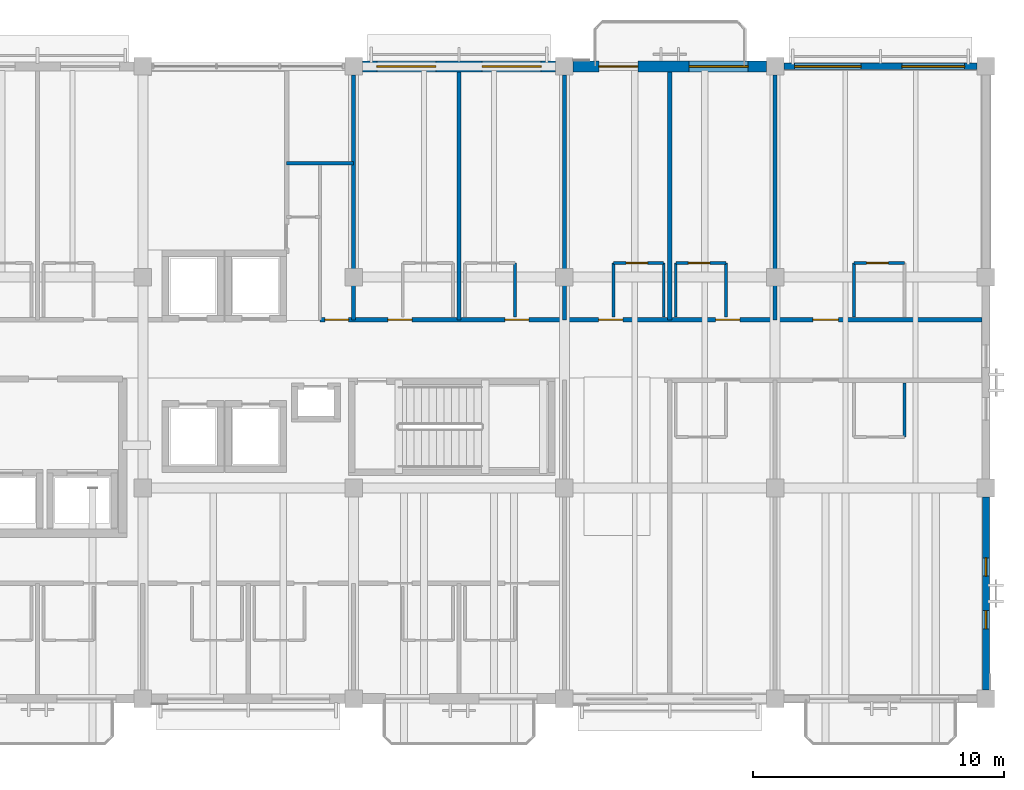
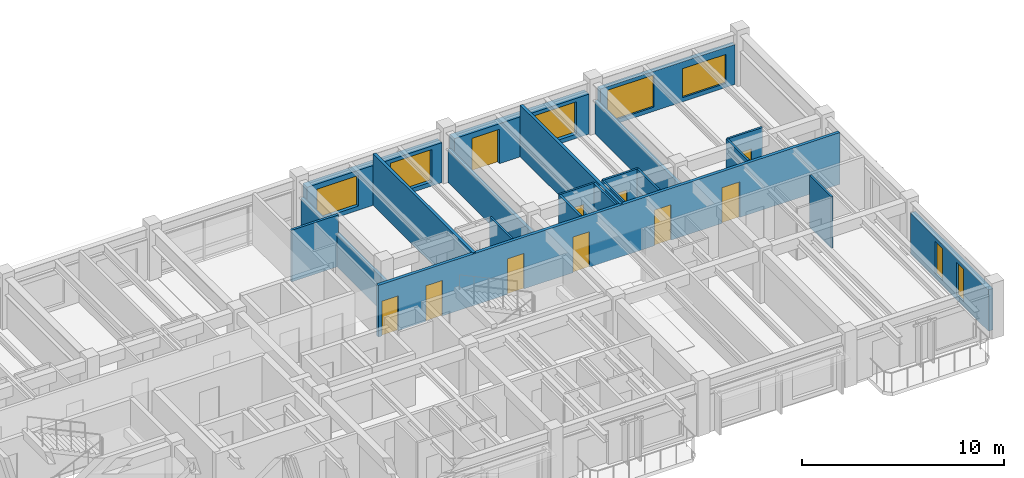
# One storey, part 11 of 18: 21 walls, 10 doors, 7 windows, 17 openings.
"""IFC4 building model written with IfcOpenShell, lengths in metres."""

from ifc_helpers import new_model, si_unit, direction, frame, frame_2d, origin, place, context, subcontext, project, spatial, rectangle, extrude, material, layer, layer_set, type_object, element, fill, save


model = new_model("IFC4")

# Units and contexts
model_context = context("Model", 3, precision=1e-05, world=origin(), true_north=direction((0.0, 1.0)))
body_context = subcontext(model_context, "Body", "Model", "MODEL_VIEW")
ifc_project = project(units=[si_unit("LENGTHUNIT", "METRE"), si_unit("AREAUNIT", "SQUARE_METRE"), si_unit("VOLUMEUNIT", "CUBIC_METRE"), si_unit("PLANEANGLEUNIT", "RADIAN"), si_unit("MASSUNIT", "GRAM", prefix="KILO")], contexts=[model_context])

# Site, building, storey
site_placement = place(None, origin())
site = spatial("IfcSite", under=ifc_project, at=site_placement, CompositionType="ELEMENT")
building_placement = place(site_placement, origin())
building = spatial("IfcBuilding", under=site, at=building_placement, Name="Cumbredor Promenade Congress Hotel", CompositionType="ELEMENT")
storey_placement = place(building_placement, frame((0.0, 0.0, 25.199951171875)))
storey = spatial("IfcBuildingStorey", under=building, at=storey_placement, Name="L07", CompositionType="ELEMENT", Elevation=25.199951171875)

# Wall
ifc_material_1 = material(Name="Moisture-resistant gypsum board on steel studs", Category="steel")
ifc_layer_1 = layer(ifc_material_1, 0.114990234375, Name="Moisture-resistant gypsum board on steel studs", Category="steel")
ifc_layer_set_1 = layer_set([ifc_layer_1], Name="Moisture-resistant gypsum board on steel studs")
wall_type_1 = type_object("IfcWallType", Name="WL-BATH-115", PredefinedType="PARTITIONING", material=ifc_layer_set_1)
wall_1_placement = place(storey_placement, frame((48.43994140625, 107.6201171875, 0.0), z_axis=(0.0, 0.0, 1.0), x_axis=(0.0, 1.0, 0.0)))
element("IfcWall", 1, at=wall_1_placement, inside=storey, type_object=wall_type_1, Name="L07 Interior Partition W-L07-BV2-0709", PredefinedType="PARTITIONING", context=body_context, shape_type="SweptSolid", body=[
    extrude(rectangle(XDim=2.14990234375, YDim=0.114990234375, at=frame_2d((1.074951171875, 0.0))), origin(), (0.0, 0.0, 1.0), 3.1201171875),
])

# Wall, opening, door
wall_2_placement = place(storey_placement, frame((52.360107421875, 109.77001953125, 0.0), z_axis=(0.0, 0.0, 1.0), x_axis=(1.0, 0.0, 0.0)))
wall_2 = element("IfcWall", 2, at=wall_2_placement, inside=storey, type_object=wall_type_1, Name="L07 Interior Partition W-L07-BH-0710", PredefinedType="PARTITIONING", context=body_context, shape_type="SweptSolid", body=[
    extrude(rectangle(XDim=2.0, YDim=0.114990234375, at=frame_2d((1.0, 0.0))), origin(), (0.0, 0.0, 1.0), 3.1201171875),
])
opening_1_placement = place(wall_2_placement, frame((0.5, 0.0, 0.0)))
opening_1 = element("IfcOpeningElement", 3, at=opening_1_placement, cuts=wall_2, Name="Opening ID-01", PredefinedType="OPENING", context=body_context, shape_type="SweptSolid", body=[
    extrude(rectangle(XDim=0.860107421875, YDim=2.050048828125, at=frame_2d((0.43017578125, 1.02490234375))), frame((0.0, 0.0673828125, 0.0), z_axis=(0.0, -1.0, 0.0), x_axis=(1.0, 0.0, 0.0)), (0.0, 0.0, 1.0), 0.135009765625),
])
ifc_material_2 = material(Name="Kiln-dried tropical hardwood", Category="wood")
door_type_1 = type_object("IfcDoorType", Name="DR-BATH-860", OperationType="NOTDEFINED", PredefinedType="DOOR", material=ifc_material_2)
door_1_placement = place(opening_1_placement, origin())
door_1 = element("IfcDoor", 4, at=door_1_placement, inside=storey, type_object=door_type_1, Name="L07 Interior Door W-L07-BH-0710-01", OperationType="SINGLE_SWING_RIGHT", OverallHeight=2.050048828125, OverallWidth=0.860107421875, PredefinedType="DOOR", context=body_context, shape_type="SweptSolid", body=[
    extrude(rectangle(XDim=0.860107421875, YDim=2.050048828125, at=frame_2d((0.43017578125, 1.02490234375))), frame((0.0, 0.02490234375, 0.0), z_axis=(0.0, -1.0, 0.0), x_axis=(1.0, 0.0, 0.0)), (0.0, 0.0, 1.0), 0.050048828125),
])
fill(opening_1, door_1)

# Walls
for number, where, z_axis, x_axis, name in (
    (5, (52.360107421875, 107.6201171875, 0.0), (0.0, 0.0, 1.0), (0.0, 1.0, 0.0), "L07 Interior Partition W-L07-BV1-0710"),
    (6, (54.360107421875, 107.6201171875, 0.0), (0.0, 0.0, 1.0), (0.0, 1.0, 0.0), "L07 Interior Partition W-L07-BV2-0710"),
):
    element("IfcWall", number, at=place(storey_placement, frame(where, z_axis=z_axis, x_axis=x_axis)), inside=storey, type_object=wall_type_1, Name=name, PredefinedType="PARTITIONING", context=body_context, shape_type="SweptSolid", body=[
        extrude(rectangle(XDim=2.14990234375, YDim=0.114990234375, at=frame_2d((1.074951171875, 0.0))), origin(), (0.0, 0.0, 1.0), 3.1201171875),
    ])

# Wall, opening, door
wall_3_placement = place(storey_placement, frame((54.840087890625, 109.77001953125, 0.0), z_axis=(0.0, 0.0, 1.0), x_axis=(1.0, 0.0, 0.0)))
wall_3 = element("IfcWall", 7, at=wall_3_placement, inside=storey, type_object=wall_type_1, Name="L07 Interior Partition W-L07-BH-0711", PredefinedType="PARTITIONING", context=body_context, shape_type="SweptSolid", body=[
    extrude(rectangle(XDim=2.0, YDim=0.114990234375, at=frame_2d((1.0, 0.0))), origin(), (0.0, 0.0, 1.0), 3.1201171875),
])
opening_2_placement = place(wall_3_placement, frame((0.5, 0.0, 0.0)))
opening_2 = element("IfcOpeningElement", 8, at=opening_2_placement, cuts=wall_3, Name="Opening ID-01", PredefinedType="OPENING", context=body_context, shape_type="SweptSolid", body=[
    extrude(rectangle(XDim=0.860107421875, YDim=2.050048828125, at=frame_2d((0.43017578125, 1.02490234375))), frame((0.0, 0.0673828125, 0.0), z_axis=(0.0, -1.0, 0.0), x_axis=(1.0, 0.0, 0.0)), (0.0, 0.0, 1.0), 0.135009765625),
])
door_2_placement = place(opening_2_placement, origin())
door_2 = element("IfcDoor", 9, at=door_2_placement, inside=storey, type_object=door_type_1, Name="L07 Interior Door W-L07-BH-0711-01", OperationType="SINGLE_SWING_LEFT", OverallHeight=2.050048828125, OverallWidth=0.860107421875, PredefinedType="DOOR", context=body_context, shape_type="SweptSolid", body=[
    extrude(rectangle(XDim=0.860107421875, YDim=2.050048828125, at=frame_2d((0.43017578125, 1.02490234375))), frame((0.0, 0.02490234375, 0.0), z_axis=(0.0, -1.0, 0.0), x_axis=(1.0, 0.0, 0.0)), (0.0, 0.0, 1.0), 0.050048828125),
])
fill(opening_2, door_2)

# Walls
for number, where, z_axis, x_axis, name in (
    (10, (54.840087890625, 107.6201171875, 0.0), (0.0, 0.0, 1.0), (0.0, 1.0, 0.0), "L07 Interior Partition W-L07-BV1-0711"),
    (11, (56.840087890625, 107.6201171875, 0.0), (0.0, 0.0, 1.0), (0.0, 1.0, 0.0), "L07 Interior Partition W-L07-BV2-0711"),
):
    element("IfcWall", number, at=place(storey_placement, frame(where, z_axis=z_axis, x_axis=x_axis)), inside=storey, type_object=wall_type_1, Name=name, PredefinedType="PARTITIONING", context=body_context, shape_type="SweptSolid", body=[
        extrude(rectangle(XDim=2.14990234375, YDim=0.114990234375, at=frame_2d((1.074951171875, 0.0))), origin(), (0.0, 0.0, 1.0), 3.1201171875),
    ])

# Wall, opening, door
wall_4_placement = place(storey_placement, frame((61.949951171875, 109.77001953125, 0.0), z_axis=(0.0, 0.0, 1.0), x_axis=(1.0, 0.0, 0.0)))
wall_4 = element("IfcWall", 12, at=wall_4_placement, inside=storey, type_object=wall_type_1, Name="L07 Interior Partition W-L07-BH-0712", PredefinedType="PARTITIONING", context=body_context, shape_type="SweptSolid", body=[
    extrude(rectangle(XDim=2.0, YDim=0.114990234375, at=frame_2d((1.0, 0.0))), origin(), (0.0, 0.0, 1.0), 3.1201171875),
])
opening_3_placement = place(wall_4_placement, frame((0.5, 0.0, 0.0)))
opening_3 = element("IfcOpeningElement", 13, at=opening_3_placement, cuts=wall_4, Name="Opening ID-01", PredefinedType="OPENING", context=body_context, shape_type="SweptSolid", body=[
    extrude(rectangle(XDim=0.860107421875, YDim=2.050048828125, at=frame_2d((0.43017578125, 1.02490234375))), frame((0.0, 0.0673828125, 0.0), z_axis=(0.0, -1.0, 0.0), x_axis=(1.0, 0.0, 0.0)), (0.0, 0.0, 1.0), 0.135009765625),
])
door_3_placement = place(opening_3_placement, origin())
door_3 = element("IfcDoor", 14, at=door_3_placement, inside=storey, type_object=door_type_1, Name="L07 Interior Door W-L07-BH-0712-01", OperationType="SINGLE_SWING_RIGHT", OverallHeight=2.050048828125, OverallWidth=0.860107421875, PredefinedType="DOOR", context=body_context, shape_type="SweptSolid", body=[
    extrude(rectangle(XDim=0.860107421875, YDim=2.050048828125, at=frame_2d((0.43017578125, 1.02490234375))), frame((0.0, 0.02490234375, 0.0), z_axis=(0.0, -1.0, 0.0), x_axis=(1.0, 0.0, 0.0)), (0.0, 0.0, 1.0), 0.050048828125),
])
fill(opening_3, door_3)

# Walls
for number, where, z_axis, x_axis, name in (
    (15, (61.949951171875, 107.6201171875, 0.0), (0.0, 0.0, 1.0), (0.0, 1.0, 0.0), "L07 Interior Partition W-L07-BV1-0712"),
    (16, (63.949951171875, 102.830078125, 0.0), (0.0, 0.0, 1.0), (0.0, 1.0, 0.0), "L07 Interior Partition W-L07-BV2-0714"),
):
    element("IfcWall", number, at=place(storey_placement, frame(where, z_axis=z_axis, x_axis=x_axis)), inside=storey, type_object=wall_type_1, Name=name, PredefinedType="PARTITIONING", context=body_context, shape_type="SweptSolid", body=[
        extrude(rectangle(XDim=2.14990234375, YDim=0.114990234375, at=frame_2d((1.074951171875, 0.0))), origin(), (0.0, 0.0, 1.0), 3.1201171875),
    ])

# Wall, openings, doors
ifc_material_3 = material(Name="Fire-rated hotel corridor wall")
ifc_layer_2 = layer(ifc_material_3, 0.179931640625, Name="Fire-rated hotel corridor wall")
ifc_layer_set_2 = layer_set([ifc_layer_2], Name="Fire-rated hotel corridor wall")
wall_type_2 = type_object("IfcWallType", Name="WL-CORR-180", PredefinedType="PARTITIONING", material=ifc_layer_set_2)
wall_5_placement = place(storey_placement, frame((40.659912109375, 107.5, 0.0), z_axis=(0.0, 0.0, 1.0), x_axis=(1.0, 0.0, 0.0)))
wall_5 = element("IfcWall", 17, at=wall_5_placement, inside=storey, type_object=wall_type_2, Name="L07 Interior Partition W-L07-CORR-NE", PredefinedType="PARTITIONING", context=body_context, shape_type="SweptSolid", body=[
    extrude(rectangle(XDim=26.39013671875, YDim=0.179931640625, at=frame_2d((13.195068359375, 0.0))), origin(), (0.0, 0.0, 1.0), 3.1201171875),
])
opening_4_placement = place(wall_5_placement, frame((0.199951171875, 0.0, 0.0)))
opening_4 = element("IfcOpeningElement", 18, at=opening_4_placement, cuts=wall_5, Name="Opening FD-03", PredefinedType="OPENING", context=body_context, shape_type="SweptSolid", body=[
    extrude(rectangle(XDim=0.93994140625, YDim=2.10009765625, at=frame_2d((0.469970703125, 1.050048828125))), frame((0.0, 0.10009765625, 0.0), z_axis=(0.0, -1.0, 0.0), x_axis=(1.0, 0.0, 0.0)), (0.0, 0.0, 1.0), 0.199951171875),
])
opening_5_placement = place(wall_5_placement, frame((2.7099609375, 0.0, 0.0)))
opening_5 = element("IfcOpeningElement", 19, at=opening_5_placement, cuts=wall_5, Name="Opening FD-01", PredefinedType="OPENING", context=body_context, shape_type="SweptSolid", body=[
    extrude(rectangle(XDim=0.9599609375, YDim=2.14990234375, at=frame_2d((0.47998046875, 1.074951171875))), frame((0.0, 0.10009765625, 0.0), z_axis=(0.0, -1.0, 0.0), x_axis=(1.0, 0.0, 0.0)), (0.0, 0.0, 1.0), 0.199951171875),
])
opening_6_placement = place(wall_5_placement, frame((7.3701171875, 0.0, 0.0)))
opening_6 = element("IfcOpeningElement", 20, at=opening_6_placement, cuts=wall_5, Name="Opening FD-01", PredefinedType="OPENING", context=body_context, shape_type="SweptSolid", body=[
    extrude(rectangle(XDim=0.9599609375, YDim=2.14990234375, at=frame_2d((0.47998046875, 1.074951171875))), frame((0.0, 0.10009765625, 0.0), z_axis=(0.0, -1.0, 0.0), x_axis=(1.0, 0.0, 0.0)), (0.0, 0.0, 1.0), 0.199951171875),
])
opening_7_placement = place(wall_5_placement, frame((11.110107421875, 0.0, 0.0)))
opening_7 = element("IfcOpeningElement", 21, at=opening_7_placement, cuts=wall_5, Name="Opening FD-01", PredefinedType="OPENING", context=body_context, shape_type="SweptSolid", body=[
    extrude(rectangle(XDim=0.9599609375, YDim=2.14990234375, at=frame_2d((0.47998046875, 1.074951171875))), frame((0.0, 0.10009765625, 0.0), z_axis=(0.0, -1.0, 0.0), x_axis=(1.0, 0.0, 0.0)), (0.0, 0.0, 1.0), 0.199951171875),
])
opening_8_placement = place(wall_5_placement, frame((15.77001953125, 0.0, 0.0)))
opening_8 = element("IfcOpeningElement", 22, at=opening_8_placement, cuts=wall_5, Name="Opening FD-01", PredefinedType="OPENING", context=body_context, shape_type="SweptSolid", body=[
    extrude(rectangle(XDim=0.9599609375, YDim=2.14990234375, at=frame_2d((0.47998046875, 1.074951171875))), frame((0.0, 0.10009765625, 0.0), z_axis=(0.0, -1.0, 0.0), x_axis=(1.0, 0.0, 0.0)), (0.0, 0.0, 1.0), 0.199951171875),
])
opening_9_placement = place(wall_5_placement, frame((19.639892578125, 0.0, 0.0)))
opening_9 = element("IfcOpeningElement", 23, at=opening_9_placement, cuts=wall_5, Name="Opening FD-02", PredefinedType="OPENING", context=body_context, shape_type="SweptSolid", body=[
    extrude(rectangle(XDim=1.02001953125, YDim=2.14990234375, at=frame_2d((0.510009765625, 1.074951171875))), frame((0.0, 0.10009765625, 0.0), z_axis=(0.0, -1.0, 0.0), x_axis=(1.0, 0.0, 0.0)), (0.0, 0.0, 1.0), 0.199951171875),
])
ifc_material_4 = material(Name="Solid-core fire-rated tropical hardwood", Category="wood")
door_type_2 = type_object("IfcDoorType", Name="DR-GUEST-FD30-1000", OperationType="NOTDEFINED", PredefinedType="DOOR", material=ifc_material_4)
door_4_placement = place(opening_9_placement, origin())
door_4 = element("IfcDoor", 24, at=door_4_placement, inside=storey, type_object=door_type_2, Name="L07 Interior Door W-L07-CORR-NE-06", OperationType="SINGLE_SWING_LEFT", OverallHeight=2.14990234375, OverallWidth=1.02001953125, PredefinedType="DOOR", context=body_context, shape_type="SweptSolid", body=[
    extrude(rectangle(XDim=1.02001953125, YDim=2.14990234375, at=frame_2d((0.510009765625, 1.074951171875))), frame((0.0, 0.02490234375, 0.0), z_axis=(0.0, -1.0, 0.0), x_axis=(1.0, 0.0, 0.0)), (0.0, 0.0, 1.0), 0.050048828125),
])
fill(opening_9, door_4)
door_type_3 = type_object("IfcDoorType", Name="DR-GUEST-FD30-950", OperationType="NOTDEFINED", PredefinedType="DOOR", material=ifc_material_4)
door_5_placement = place(opening_5_placement, origin())
door_5 = element("IfcDoor", 25, at=door_5_placement, inside=storey, type_object=door_type_3, Name="L07 Interior Door W-L07-CORR-NE-02", OperationType="SINGLE_SWING_LEFT", OverallHeight=2.14990234375, OverallWidth=0.9599609375, PredefinedType="DOOR", context=body_context, shape_type="SweptSolid", body=[
    extrude(rectangle(XDim=0.9599609375, YDim=2.14990234375, at=frame_2d((0.47998046875, 1.074951171875))), frame((0.0, 0.02490234375, 0.0), z_axis=(0.0, -1.0, 0.0), x_axis=(1.0, 0.0, 0.0)), (0.0, 0.0, 1.0), 0.050048828125),
])
fill(opening_5, door_5)
door_6_placement = place(opening_6_placement, origin())
door_6 = element("IfcDoor", 26, at=door_6_placement, inside=storey, type_object=door_type_3, Name="L07 Interior Door W-L07-CORR-NE-03", OperationType="SINGLE_SWING_RIGHT", OverallHeight=2.14990234375, OverallWidth=0.9599609375, PredefinedType="DOOR", context=body_context, shape_type="SweptSolid", body=[
    extrude(rectangle(XDim=0.9599609375, YDim=2.14990234375, at=frame_2d((0.47998046875, 1.074951171875))), frame((0.0, 0.02490234375, 0.0), z_axis=(0.0, -1.0, 0.0), x_axis=(1.0, 0.0, 0.0)), (0.0, 0.0, 1.0), 0.050048828125),
])
fill(opening_6, door_6)
door_7_placement = place(opening_7_placement, origin())
door_7 = element("IfcDoor", 27, at=door_7_placement, inside=storey, type_object=door_type_3, Name="L07 Interior Door W-L07-CORR-NE-04", OperationType="SINGLE_SWING_LEFT", OverallHeight=2.14990234375, OverallWidth=0.9599609375, PredefinedType="DOOR", context=body_context, shape_type="SweptSolid", body=[
    extrude(rectangle(XDim=0.9599609375, YDim=2.14990234375, at=frame_2d((0.47998046875, 1.074951171875))), frame((0.0, 0.02490234375, 0.0), z_axis=(0.0, -1.0, 0.0), x_axis=(1.0, 0.0, 0.0)), (0.0, 0.0, 1.0), 0.050048828125),
])
fill(opening_7, door_7)
door_8_placement = place(opening_8_placement, origin())
door_8 = element("IfcDoor", 28, at=door_8_placement, inside=storey, type_object=door_type_3, Name="L07 Interior Door W-L07-CORR-NE-05", OperationType="SINGLE_SWING_RIGHT", OverallHeight=2.14990234375, OverallWidth=0.9599609375, PredefinedType="DOOR", context=body_context, shape_type="SweptSolid", body=[
    extrude(rectangle(XDim=0.9599609375, YDim=2.14990234375, at=frame_2d((0.47998046875, 1.074951171875))), frame((0.0, 0.02490234375, 0.0), z_axis=(0.0, -1.0, 0.0), x_axis=(1.0, 0.0, 0.0)), (0.0, 0.0, 1.0), 0.050048828125),
])
fill(opening_8, door_8)
ifc_material_5 = material(Name="Painted galvanized steel fire door", Category="steel")
door_type_4 = type_object("IfcDoorType", Name="DR-SGL-FD60-950", OperationType="NOTDEFINED", PredefinedType="DOOR", material=ifc_material_5)
door_9_placement = place(opening_4_placement, origin())
door_9 = element("IfcDoor", 29, at=door_9_placement, inside=storey, type_object=door_type_4, Name="L07 Interior Door W-L07-CORR-NE-01", OperationType="SINGLE_SWING_RIGHT", OverallHeight=2.10009765625, OverallWidth=0.93994140625, PredefinedType="DOOR", context=body_context, shape_type="SweptSolid", body=[
    extrude(rectangle(XDim=0.93994140625, YDim=2.10009765625, at=frame_2d((0.469970703125, 1.050048828125))), frame((0.0, 0.02490234375, 0.0), z_axis=(0.0, -1.0, 0.0), x_axis=(1.0, 0.0, 0.0)), (0.0, 0.0, 1.0), 0.050048828125),
])
fill(opening_4, door_9)

# Wall, openings, windows
ifc_material_6 = material(Name="Concrete C40/50", Category="concrete")
ifc_layer_3 = layer(ifc_material_6, 0.260009765625, Name="Concrete C40/50", Category="concrete")
ifc_layer_set_3 = layer_set([ifc_layer_3], Name="Concrete C40/50")
wall_type_3 = type_object("IfcWallType", Name="WL-EXT-260", PredefinedType="SOLIDWALL", material=ifc_layer_set_3)
wall_6_placement = place(storey_placement, frame((59.15087890625, 117.60009765625, 0.0), z_axis=(0.0, 0.0, 1.0), x_axis=(1.0, 0.0, 0.0)))
wall_6 = element("IfcWall", 30, at=wall_6_placement, inside=storey, type_object=wall_type_3, Name="L07 Stepped Congress Hotel Wing North Envelope Wall 8", PredefinedType="SOLIDWALL", context=body_context, shape_type="SweptSolid", body=[
    extrude(rectangle(XDim=7.6982421875, YDim=0.260009765625, at=frame_2d((3.84912109375, 0.0))), origin(), (0.0, 0.0, 1.0), 2.4140625),
])
opening_10_placement = place(wall_6_placement, frame((0.424072265625, 0.0, 0.25)))
opening_10 = element("IfcOpeningElement", 31, at=opening_10_placement, cuts=wall_6, Name="Opening WN-11", PredefinedType="OPENING", context=body_context, shape_type="SweptSolid", body=[
    extrude(rectangle(XDim=2.64990234375, YDim=1.949951171875, at=frame_2d((1.324951171875, 0.97509765625))), frame((0.0, 0.14013671875, 0.0), z_axis=(0.0, -1.0, 0.0), x_axis=(1.0, 0.0, 0.0)), (0.0, 0.0, 1.0), 0.280029296875),
])
opening_11_placement = place(wall_6_placement, frame((4.698974609375, 0.0, 0.25)))
opening_11 = element("IfcOpeningElement", 32, at=opening_11_placement, cuts=wall_6, Name="Opening WN-27", PredefinedType="OPENING", context=body_context, shape_type="SweptSolid", body=[
    extrude(rectangle(XDim=2.5, YDim=1.75, at=frame_2d((1.25, 0.875))), frame((0.0, 0.14013671875, 0.0), z_axis=(0.0, -1.0, 0.0), x_axis=(1.0, 0.0, 0.0)), (0.0, 0.0, 1.0), 0.280029296875),
])
ifc_material_7 = material(Name="Thermally broken anodized aluminium and low-E glass", Category="aluminium")
window_type_1 = type_object("IfcWindowType", Name="Hospitality Floor-to-Ceiling Window WN-11 2650x1950", PartitioningType="DOUBLE_PANEL_VERTICAL", PredefinedType="WINDOW", material=ifc_material_7)
window_1_placement = place(opening_10_placement, origin())
window_1 = element("IfcWindow", 33, at=window_1_placement, inside=storey, type_object=window_type_1, Name="L07 Wide Hospitality Window 0636", OverallHeight=1.949951171875, OverallWidth=2.64990234375, PartitioningType="DOUBLE_PANEL_VERTICAL", PredefinedType="WINDOW", context=body_context, shape_type="SweptSolid", body=[
    extrude(rectangle(XDim=2.64990234375, YDim=1.949951171875, at=frame_2d((1.324951171875, 0.97509765625))), frame((0.0, 0.030029296875, 0.0), z_axis=(0.0, -1.0, 0.0), x_axis=(1.0, 0.0, 0.0)), (0.0, 0.0, 1.0), 0.06005859375),
])
fill(opening_10, window_1)
window_type_2 = type_object("IfcWindowType", Name="Hospitality Floor-to-Ceiling Window WN-27 2500x1750", PartitioningType="DOUBLE_PANEL_VERTICAL", PredefinedType="WINDOW", material=ifc_material_7)
window_2_placement = place(opening_11_placement, origin())
window_2 = element("IfcWindow", 34, at=window_2_placement, inside=storey, type_object=window_type_2, Name="L07 Wide Hospitality Window 0637", OverallHeight=1.75, OverallWidth=2.5, PartitioningType="DOUBLE_PANEL_VERTICAL", PredefinedType="WINDOW", context=body_context, shape_type="SweptSolid", body=[
    extrude(rectangle(XDim=2.5, YDim=1.75, at=frame_2d((1.25, 0.875))), frame((0.0, 0.030029296875, 0.0), z_axis=(0.0, -1.0, 0.0), x_axis=(1.0, 0.0, 0.0)), (0.0, 0.0, 1.0), 0.06005859375),
])
fill(opening_11, window_2)

ifc_layer_4 = layer(ifc_material_6, 0.280029296875, Name="Concrete C40/50", Category="concrete")
ifc_layer_set_4 = layer_set([ifc_layer_4], Name="Concrete C40/50")
wall_type_4 = type_object("IfcWallType", Name="WL-EXT-280", PredefinedType="SOLIDWALL", material=ifc_layer_set_4)
wall_7_placement = place(storey_placement, frame((67.199951171875, 92.7509765625, 0.0), z_axis=(0.0, 0.0, 1.0), x_axis=(0.0, 1.0, 0.0)))
wall_7 = element("IfcWall", 35, at=wall_7_placement, inside=storey, type_object=wall_type_4, Name="L07 Stepped Congress Hotel Wing East Envelope Wall 1", PredefinedType="SOLIDWALL", context=body_context, shape_type="SweptSolid", body=[
    extrude(rectangle(XDim=7.697998046875, YDim=0.280029296875, at=frame_2d((3.84912109375, 0.0))), origin(), (0.0, 0.0, 1.0), 2.494140625),
])
opening_12_placement = place(wall_7_placement, frame((2.43896484375, 0.0, 0.300048828125)))
opening_12 = element("IfcOpeningElement", 36, at=opening_12_placement, cuts=wall_7, Name="Opening WN-49", PredefinedType="OPENING", context=body_context, shape_type="SweptSolid", body=[
    extrude(rectangle(XDim=0.719970703125, YDim=1.949951171875, at=frame_2d((0.35986328125, 0.97509765625))), frame((0.0, 0.14990234375, 0.0), z_axis=(0.0, -1.0, 0.0), x_axis=(1.0, 0.0, 0.0)), (0.0, 0.0, 1.0), 0.300048828125),
])
opening_13_placement = place(wall_7_placement, frame((4.5390625, 0.0, 0.300048828125)))
opening_13 = element("IfcOpeningElement", 37, at=opening_13_placement, cuts=wall_7, Name="Opening WN-49", PredefinedType="OPENING", context=body_context, shape_type="SweptSolid", body=[
    extrude(rectangle(XDim=0.719970703125, YDim=1.949951171875, at=frame_2d((0.35986328125, 0.97509765625))), frame((0.0, 0.14990234375, 0.0), z_axis=(0.0, -1.0, 0.0), x_axis=(1.0, 0.0, 0.0)), (0.0, 0.0, 1.0), 0.300048828125),
])
window_type_3 = type_object("IfcWindowType", Name="Vertical Slot Window WN-49 720x1950", PartitioningType="SINGLE_PANEL", PredefinedType="WINDOW", material=ifc_material_7)
window_3_placement = place(opening_12_placement, origin())
window_3 = element("IfcWindow", 38, at=window_3_placement, inside=storey, type_object=window_type_3, Name="L07 Vertical Slot Window 0644", OverallHeight=1.949951171875, OverallWidth=0.719970703125, PartitioningType="SINGLE_PANEL", PredefinedType="WINDOW", context=body_context, shape_type="SweptSolid", body=[
    extrude(rectangle(XDim=0.719970703125, YDim=1.949951171875, at=frame_2d((0.35986328125, 0.97509765625))), frame((0.0, 0.030029296875, 0.0), z_axis=(0.0, -1.0, 0.0), x_axis=(1.0, 0.0, 0.0)), (0.0, 0.0, 1.0), 0.06005859375),
])
fill(opening_12, window_3)
window_4_placement = place(opening_13_placement, origin())
window_4 = element("IfcWindow", 39, at=window_4_placement, inside=storey, type_object=window_type_3, Name="L07 Vertical Slot Window 0645", OverallHeight=1.949951171875, OverallWidth=0.719970703125, PartitioningType="SINGLE_PANEL", PredefinedType="WINDOW", context=body_context, shape_type="SweptSolid", body=[
    extrude(rectangle(XDim=0.719970703125, YDim=1.949951171875, at=frame_2d((0.35986328125, 0.97509765625))), frame((0.0, 0.030029296875, 0.0), z_axis=(0.0, -1.0, 0.0), x_axis=(1.0, 0.0, 0.0)), (0.0, 0.0, 1.0), 0.06005859375),
])
fill(opening_13, window_4)

ifc_layer_5 = layer(ifc_material_6, 0.425048828125, Name="Concrete C40/50", Category="concrete")
ifc_layer_set_5 = layer_set([ifc_layer_5], Name="Concrete C40/50")
wall_type_5 = type_object("IfcWallType", Name="WL-EXT-425", PredefinedType="SOLIDWALL", material=ifc_layer_set_5)
wall_8_placement = place(storey_placement, frame((42.35107421875, 117.60009765625, 0.0), z_axis=(0.0, 0.0, 1.0), x_axis=(1.0, 0.0, 0.0)))
wall_8 = element("IfcWall", 40, at=wall_8_placement, inside=storey, type_object=wall_type_5, Name="L07 Stepped Congress Hotel Wing North Envelope Wall 6", PredefinedType="SOLIDWALL", context=body_context, shape_type="SweptSolid", body=[
    extrude(rectangle(XDim=7.697998046875, YDim=0.425048828125, at=frame_2d((3.84912109375, 0.0))), origin(), (0.0, 0.0, 1.0), 2.4140625),
])
opening_14_placement = place(wall_8_placement, frame((0.573974609375, 0.0, 0.25)))
opening_14 = element("IfcOpeningElement", 41, at=opening_14_placement, cuts=wall_8, Name="Opening WN-02", PredefinedType="OPENING", context=body_context, shape_type="SweptSolid", body=[
    extrude(rectangle(XDim=2.35009765625, YDim=1.85009765625, at=frame_2d((1.175048828125, 0.925048828125))), frame((0.0, 0.22265625, 0.0), z_axis=(0.0, -1.0, 0.0), x_axis=(1.0, 0.0, 0.0)), (0.0, 0.0, 1.0), 0.445068359375),
])
opening_15_placement = place(wall_8_placement, frame((4.77392578125, 0.0, 0.25)))
opening_15 = element("IfcOpeningElement", 42, at=opening_15_placement, cuts=wall_8, Name="Opening WN-08", PredefinedType="OPENING", context=body_context, shape_type="SweptSolid", body=[
    extrude(rectangle(XDim=2.35009765625, YDim=1.949951171875, at=frame_2d((1.175048828125, 0.97509765625))), frame((0.0, 0.22265625, 0.0), z_axis=(0.0, -1.0, 0.0), x_axis=(1.0, 0.0, 0.0)), (0.0, 0.0, 1.0), 0.445068359375),
])
window_type_4 = type_object("IfcWindowType", Name="Hospitality Floor-to-Ceiling Window WN-02 2350x1850", PartitioningType="DOUBLE_PANEL_VERTICAL", PredefinedType="WINDOW", material=ifc_material_7)
window_5_placement = place(opening_14_placement, origin())
window_5 = element("IfcWindow", 43, at=window_5_placement, inside=storey, type_object=window_type_4, Name="L07 Wide Hospitality Window 0633", OverallHeight=1.85009765625, OverallWidth=2.35009765625, PartitioningType="DOUBLE_PANEL_VERTICAL", PredefinedType="WINDOW", context=body_context, shape_type="SweptSolid", body=[
    extrude(rectangle(XDim=2.35009765625, YDim=1.85009765625, at=frame_2d((1.175048828125, 0.925048828125))), frame((0.0, 0.030029296875, 0.0), z_axis=(0.0, -1.0, 0.0), x_axis=(1.0, 0.0, 0.0)), (0.0, 0.0, 1.0), 0.06005859375),
])
fill(opening_14, window_5)
window_type_5 = type_object("IfcWindowType", Name="Hospitality Floor-to-Ceiling Window WN-08 2350x1950", PartitioningType="DOUBLE_PANEL_VERTICAL", PredefinedType="WINDOW", material=ifc_material_7)
window_6_placement = place(opening_15_placement, origin())
window_6 = element("IfcWindow", 44, at=window_6_placement, inside=storey, type_object=window_type_5, Name="L07 Wide Hospitality Window 0634", OverallHeight=1.949951171875, OverallWidth=2.35009765625, PartitioningType="DOUBLE_PANEL_VERTICAL", PredefinedType="WINDOW", context=body_context, shape_type="SweptSolid", body=[
    extrude(rectangle(XDim=2.35009765625, YDim=1.949951171875, at=frame_2d((1.175048828125, 0.97509765625))), frame((0.0, 0.030029296875, 0.0), z_axis=(0.0, -1.0, 0.0), x_axis=(1.0, 0.0, 0.0)), (0.0, 0.0, 1.0), 0.06005859375),
])
fill(opening_15, window_6)

# Wall, openings, door, window
ifc_layer_6 = layer(ifc_material_6, 0.449951171875, Name="Concrete C40/50", Category="concrete")
ifc_layer_set_6 = layer_set([ifc_layer_6], Name="Concrete C40/50")
wall_type_6 = type_object("IfcWallType", Name="WL-EXT-450", PredefinedType="SOLIDWALL", material=ifc_layer_set_6)
wall_9_placement = place(storey_placement, frame((50.7509765625, 117.60009765625, 0.0), z_axis=(0.0, 0.0, 1.0), x_axis=(1.0, 0.0, 0.0)))
wall_9 = element("IfcWall", 45, at=wall_9_placement, inside=storey, type_object=wall_type_6, Name="L07 Stepped Congress Hotel Wing North Envelope Wall 7", PredefinedType="SOLIDWALL", context=body_context, shape_type="SweptSolid", body=[
    extrude(rectangle(XDim=7.697998046875, YDim=0.449951171875, at=frame_2d((3.84912109375, 0.0))), origin(), (0.0, 0.0, 1.0), 2.4140625),
])
opening_16_placement = place(wall_9_placement, frame((1.02392578125, 0.0, 0.0)))
opening_16 = element("IfcOpeningElement", 46, at=opening_16_placement, cuts=wall_9, Name="Opening TD-01", PredefinedType="OPENING", context=body_context, shape_type="SweptSolid", body=[
    extrude(rectangle(XDim=1.550048828125, YDim=2.080078125, at=frame_2d((0.77490234375, 1.0400390625))), frame((0.0, 0.23486328125, 0.0), z_axis=(0.0, -1.0, 0.0), x_axis=(1.0, 0.0, 0.0)), (0.0, 0.0, 1.0), 0.469970703125),
])
opening_17_placement = place(wall_9_placement, frame((4.6240234375, 0.0, 0.25)))
opening_17 = element("IfcOpeningElement", 47, at=opening_17_placement, cuts=wall_9, Name="Opening WN-08", PredefinedType="OPENING", context=body_context, shape_type="SweptSolid", body=[
    extrude(rectangle(XDim=2.35009765625, YDim=1.949951171875, at=frame_2d((1.175048828125, 0.97509765625))), frame((0.0, 0.23486328125, 0.0), z_axis=(0.0, -1.0, 0.0), x_axis=(1.0, 0.0, 0.0)), (0.0, 0.0, 1.0), 0.469970703125),
])
ifc_material_8 = material(Name="Thermally broken anodized aluminium and laminated safety glass", Category="aluminium")
door_type_5 = type_object("IfcDoorType", Name="EXT-DR-TER-1550x2080", OperationType="DOUBLE_DOOR_SINGLE_SWING", PredefinedType="DOOR", material=ifc_material_8)
door_10_placement = place(opening_16_placement, origin())
door_10 = element("IfcDoor", 48, at=door_10_placement, inside=storey, type_object=door_type_5, Name="L07 Guestroom Veranda Balcony Door 081", OperationType="DOUBLE_DOOR_SINGLE_SWING", OverallHeight=2.080078125, OverallWidth=1.550048828125, PredefinedType="DOOR", context=body_context, shape_type="SweptSolid", body=[
    extrude(rectangle(XDim=1.550048828125, YDim=2.080078125, at=frame_2d((0.77490234375, 1.0400390625))), frame((0.0, 0.02490234375, 0.0), z_axis=(0.0, -1.0, 0.0), x_axis=(1.0, 0.0, 0.0)), (0.0, 0.0, 1.0), 0.050048828125),
])
fill(opening_16, door_10)
window_7_placement = place(opening_17_placement, origin())
window_7 = element("IfcWindow", 49, at=window_7_placement, inside=storey, type_object=window_type_5, Name="L07 Veranda Companion Floor-to-Ceiling Window 0635", OverallHeight=1.949951171875, OverallWidth=2.35009765625, PartitioningType="DOUBLE_PANEL_VERTICAL", PredefinedType="WINDOW", context=body_context, shape_type="SweptSolid", body=[
    extrude(rectangle(XDim=2.35009765625, YDim=1.949951171875, at=frame_2d((1.175048828125, 0.97509765625))), frame((0.0, 0.030029296875, 0.0), z_axis=(0.0, -1.0, 0.0), x_axis=(1.0, 0.0, 0.0)), (0.0, 0.0, 1.0), 0.06005859375),
])
fill(opening_17, window_7)

# Walls
ifc_material_9 = material(Name="Acoustic gypsum partition on steel studs", Category="steel")
ifc_layer_7 = layer(ifc_material_9, 0.139892578125, Name="Acoustic gypsum partition on steel studs", Category="steel")
ifc_layer_set_7 = layer_set([ifc_layer_7], Name="Acoustic gypsum partition on steel studs")
wall_type_7 = type_object("IfcWallType", Name="WL-PART-140", PredefinedType="PARTITIONING", material=ifc_layer_set_7)
wall_10_placement = place(storey_placement, frame((39.330078125, 113.75, 0.0), z_axis=(0.0, 0.0, 1.0), x_axis=(1.0, 0.0, 0.0)))
element("IfcWall", 50, at=wall_10_placement, inside=storey, type_object=wall_type_7, Name="L07 Interior Partition W-L07-HK-N", PredefinedType="PARTITIONING", context=body_context, shape_type="SweptSolid", body=[
    extrude(rectangle(XDim=2.669921875, YDim=0.139892578125, at=frame_2d((1.3349609375, 0.0))), origin(), (0.0, 0.0, 1.0), 3.1201171875),
])
ifc_material_10 = material(Name="Fire-rated acoustic double-stud partition")
ifc_layer_8 = layer(ifc_material_10, 0.1650390625, Name="Fire-rated acoustic double-stud partition")
ifc_layer_set_8 = layer_set([ifc_layer_8], Name="Fire-rated acoustic double-stud partition")
wall_type_8 = type_object("IfcWallType", Name="WL-UNIT-165", PredefinedType="PARTITIONING", material=ifc_layer_set_8)
wall_11_placement = place(storey_placement, frame((46.199951171875, 107.5, 0.0), z_axis=(0.0, 0.0, 1.0), x_axis=(0.0, 1.0, 0.0)))
element("IfcWall", 51, at=wall_11_placement, inside=storey, type_object=wall_type_8, Name="L07 Interior Partition W-L07-N-DIV-5-M", PredefinedType="PARTITIONING", context=body_context, shape_type="SweptSolid", body=[
    extrude(rectangle(XDim=9.887451171875, YDim=0.1650390625, at=frame_2d((4.94384765625, 0.0))), origin(), (0.0, 0.0, 1.0), 3.1201171875),
])
wall_12_placement = place(storey_placement, frame((42.0, 107.5, 0.0), z_axis=(0.0, 0.0, 1.0), x_axis=(0.0, 1.0, 0.0)))
element("IfcWall", 52, at=wall_12_placement, inside=storey, type_object=wall_type_8, Name="L07 Interior Partition W-L07-N-DIV-5-G", PredefinedType="PARTITIONING", context=body_context, shape_type="SweptSolid", body=[
    extrude(rectangle(XDim=9.75, YDim=0.1650390625, at=frame_2d((4.875, 0.0))), origin(), (0.0, 0.0, 1.0), 2.012939453125),
])
wall_13_placement = place(storey_placement, frame((54.60009765625, 107.5, 0.0), z_axis=(0.0, 0.0, 1.0), x_axis=(0.0, 1.0, 0.0)))
element("IfcWall", 53, at=wall_13_placement, inside=storey, type_object=wall_type_8, Name="L07 Interior Partition W-L07-N-DIV-6-M", PredefinedType="PARTITIONING", context=body_context, shape_type="SweptSolid", body=[
    extrude(rectangle(XDim=9.875, YDim=0.1650390625, at=frame_2d((4.9375, 0.0))), origin(), (0.0, 0.0, 1.0), 3.1201171875),
])
for number, where, z_axis, x_axis, name in (
    (54, (50.39990234375, 107.5, 0.0), (0.0, 0.0, 1.0), (0.0, 1.0, 0.0), "L07 Interior Partition W-L07-N-DIV-6-G"),
    (55, (58.800048828125, 107.5, 0.0), (0.0, 0.0, 1.0), (0.0, 1.0, 0.0), "L07 Interior Partition W-L07-N-DIV-7-G"),
):
    element("IfcWall", number, at=place(storey_placement, frame(where, z_axis=z_axis, x_axis=x_axis)), inside=storey, type_object=wall_type_8, Name=name, PredefinedType="PARTITIONING", context=body_context, shape_type="SweptSolid", body=[
        extrude(rectangle(XDim=9.75, YDim=0.1650390625, at=frame_2d((4.875, 0.0))), origin(), (0.0, 0.0, 1.0), 2.012939453125),
    ])

save(model, "model.ifc")
